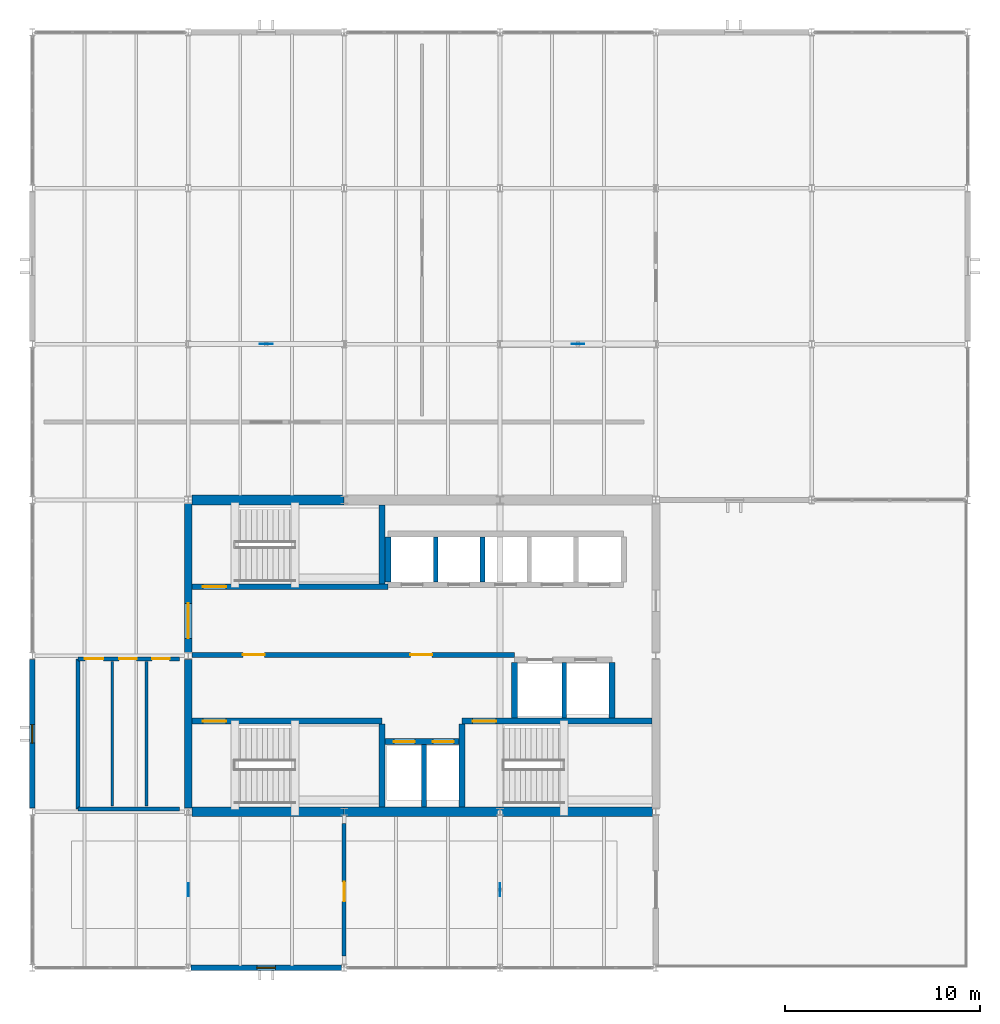
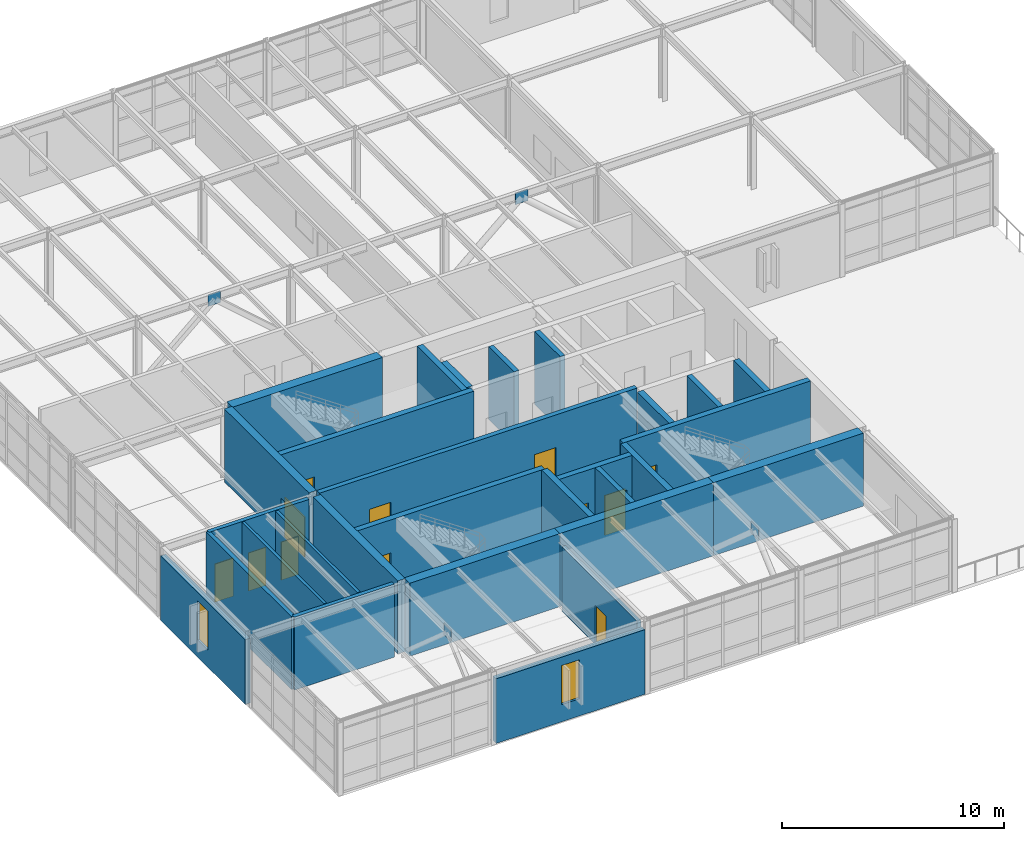
# One storey, part 17 of 21: 29 walls, 12 doors, 4 plates, 2 windows, 14 openings.
"""IFC4 building model written with IfcOpenShell, lengths in metres."""

import ifcopenshell
import ifcopenshell.guid

model = None  # the IFC model being written
_history = None  # IfcOwnerHistory: only IFC2X3 demands one
_inside = {}  # id of a spatial element -> (the spatial element, [elements in it])
_under = {}  # id of a project, library or spatial element -> (it, [spatial elements below it])
_declared = {}  # id of a project -> (the project, [libraries it declares])
_typed = {}  # id of a type object -> (the type object, [elements of that type])
_made_of = {}  # id of a material, layer set ... -> (it, [elements and type objects made of it])


def new_model(schema):
    """Start an empty IFC model of exactly this schema.

    Asked for "IFC4X3", IfcOpenShell would pick the latest addendum, in which some entities
    have other attributes; the version numbers below select the first issue.
    IFC2X3 requires an IfcOwnerHistory on every rooted entity: one is made here for all.
    """
    global model, _history
    if schema == "IFC4X3":
        model = ifcopenshell.file(schema_version=(4, 3, 0, 0))
    else:
        model = ifcopenshell.file(schema=schema)
    _inside.clear()
    _under.clear()
    _declared.clear()
    _typed.clear()
    _made_of.clear()
    _history = None
    if model.schema == "IFC2X3":
        org = make("IfcOrganization", Name="unknown")
        user = make(
            "IfcPersonAndOrganization",
            ThePerson=make("IfcPerson", FamilyName="unknown"),
            TheOrganization=org,
        )
        app = make(
            "IfcApplication",
            ApplicationDeveloper=org,
            Version="unknown",
            ApplicationFullName="unknown",
            ApplicationIdentifier="unknown",
        )
        _history = make(
            "IfcOwnerHistory",
            OwningUser=user,
            OwningApplication=app,
            ChangeAction="ADDED",
            CreationDate=0,
        )
    return model


def make(cls, **values):
    """One entity of the class cls with the attributes given. An attribute that is None is left unset."""
    return model.create_entity(
        cls, **{name: value for name, value in values.items() if value is not None}
    )


def rooted(cls, **values):
    """An entity with a GlobalId (a new one), such as an element, a storey or a relation."""
    return make(cls, GlobalId=ifcopenshell.guid.new(), OwnerHistory=_history, **values)


def si_unit(unit_type, name, prefix=None):
    """IfcSIUnit, for example si_unit("LENGTHUNIT", "METRE", prefix="MILLI")."""
    return make("IfcSIUnit", UnitType=unit_type, Prefix=prefix, Name=name)


def assignment(units):
    """IfcUnitAssignment: the units of a project."""
    return None if units is None else make("IfcUnitAssignment", Units=units)


def point(xyz):
    """IfcCartesianPoint."""
    return None if xyz is None else make("IfcCartesianPoint", Coordinates=xyz)


def direction(xyz):
    """IfcDirection."""
    return None if xyz is None else make("IfcDirection", DirectionRatios=xyz)


def frame(location, z_axis=None, x_axis=None):
    """IfcAxis2Placement3D, a coordinate frame: its origin and axes. An axis left out is left unset."""
    return make(
        "IfcAxis2Placement3D",
        Location=point(location),
        Axis=direction(z_axis),
        RefDirection=direction(x_axis),
    )


def frame_2d(location, x_axis=None):
    """IfcAxis2Placement2D, a coordinate frame in the plane: its origin and x axis."""
    return make(
        "IfcAxis2Placement2D", Location=point(location), RefDirection=direction(x_axis)
    )


def origin():
    """The frame at (0, 0, 0) with its axes left unset."""
    return frame((0.0, 0.0, 0.0))


def origin_2d():
    """The frame at (0, 0) in the plane with its x axis left unset."""
    return frame_2d((0.0, 0.0))


def place(relative_to, where):
    """IfcLocalPlacement: puts the frame where relative to a parent placement (None: the world)."""
    return make(
        "IfcLocalPlacement", PlacementRelTo=relative_to, RelativePlacement=where
    )


def context(
    kind, dimensions, precision=None, world=None, true_north=None, identifier=None
):
    """IfcGeometricRepresentationContext, for example the 3D "Model" context."""
    return make(
        "IfcGeometricRepresentationContext",
        ContextIdentifier=identifier,
        ContextType=kind,
        CoordinateSpaceDimension=dimensions,
        Precision=precision,
        WorldCoordinateSystem=world,
        TrueNorth=true_north,
    )


def subcontext(parent, identifier, kind, view, scale=None):
    """IfcGeometricRepresentationSubContext, for example "Body" below "Model"."""
    return make(
        "IfcGeometricRepresentationSubContext",
        ContextIdentifier=identifier,
        ContextType=kind,
        ParentContext=parent,
        TargetScale=scale,
        TargetView=view,
    )


def project(units=None, contexts=None):
    """IfcProject with its units and contexts."""
    return rooted(
        "IfcProject",
        Name="project",
        RepresentationContexts=contexts,
        UnitsInContext=assignment(units),
    )


def spatial(cls, under=None, at=None, **own):
    """A site, building, storey or space (cls), placed at a placement, below another one or the project."""
    s = rooted(cls, ObjectPlacement=at, **own)
    if under is not None:
        _under.setdefault(under.id(), (under, []))[1].append(s)
    return s


def profile(cls, at=None, kind="AREA", **sizes):
    """A parametric profile (cls). Its sizes go by their IFC names, for example OverallWidth=200.0."""
    return make(cls, ProfileType=kind, Position=at, **sizes)


def rectangle(**sizes):
    """IfcRectangleProfileDef."""
    return profile("IfcRectangleProfileDef", **sizes)


def extrude(swept, where, along, depth):
    """IfcExtrudedAreaSolid: the profile swept, set in the frame where, extruded along a direction by depth."""
    return make(
        "IfcExtrudedAreaSolid",
        SweptArea=swept,
        Position=where,
        ExtrudedDirection=direction(along),
        Depth=depth,
    )


def shape(context_of_items, identifier, shape_type, items):
    """IfcShapeRepresentation: the items that make up one representation, for example the "Body"."""
    return make(
        "IfcShapeRepresentation",
        ContextOfItems=context_of_items,
        RepresentationIdentifier=identifier,
        RepresentationType=shape_type,
        Items=items,
    )


def material(Name=None, Category=None):
    """IfcMaterial."""
    return make("IfcMaterial", Name=Name, Category=Category)


def layer(
    of_material, thickness, ventilated=None, Name=None, Category=None, Priority=None
):
    """IfcMaterialLayer: one layer of a wall or slab, of a material (None: an air gap)."""
    return make(
        "IfcMaterialLayer",
        Material=of_material,
        LayerThickness=thickness,
        IsVentilated=ventilated,
        Name=Name,
        Category=Category,
        Priority=Priority,
    )


def layer_set(layers, Name=None):
    """IfcMaterialLayerSet."""
    return make("IfcMaterialLayerSet", MaterialLayers=layers, LayerSetName=Name)


def made_of(thing, what):
    """Note that an element or type object is made of a material, layer set ...; save() writes the relation."""
    if what is not None:
        _made_of.setdefault(what.id(), (what, []))[1].append(thing)
    return thing


def type_object(cls, material=None, **own):
    """A type object (cls), such as IfcWallType, which elements share."""
    return made_of(rooted(cls, **own), material)


def element(
    cls,
    number,
    at=None,
    inside=None,
    cuts=None,
    type_object=None,
    material=None,
    context=None,
    identifier="Body",
    shape_type=None,
    held_by="IfcProductDefinitionShape",
    body=None,
    shapes=None,
    **own,
):
    """One element of the class cls, such as IfcWall. Its Tag is "e" and its number.

    at: its placement. inside: the storey or other place that contains it. cuts: it is an
    opening in that element (IfcRelVoidsElement). A single representation is given by context,
    identifier, shape_type and body (its items); several are given by shapes. held_by: the class
    of the entity that holds the representations. save() writes the other relations.
    """
    e = rooted(cls, Tag="e%d" % number, ObjectPlacement=at, **own)
    if body is not None:
        shapes = [shape(context, identifier, shape_type, body)]
    if shapes is not None:
        e.Representation = make(held_by, Representations=shapes)
    if inside is not None:
        _inside.setdefault(inside.id(), (inside, []))[1].append(e)
    if cuts is not None:
        rooted(
            "IfcRelVoidsElement", RelatingBuildingElement=cuts, RelatedOpeningElement=e
        )
    if type_object is not None:
        _typed.setdefault(type_object.id(), (type_object, []))[1].append(e)
    return made_of(e, material)


def fill(opening, filler):
    """IfcRelFillsElement: the door or window that sits in an opening."""
    return rooted(
        "IfcRelFillsElement",
        RelatingOpeningElement=opening,
        RelatedBuildingElement=filler,
    )


def aggregate(whole, parts):
    """IfcRelAggregates: a whole, such as a stair, and the parts it consists of."""
    return rooted("IfcRelAggregates", RelatingObject=whole, RelatedObjects=parts)


def save(model, path):
    """Write the relations noted so far, then the file.

    IfcRelAggregates (storeys below a building ...), IfcRelContainedInSpatialStructure (elements
    in a storey), IfcRelDefinesByType, IfcRelAssociatesMaterial and IfcRelDeclares: one each for
    every whole, place, type object, material and project.
    """
    for whole, parts in _under.values():
        aggregate(whole, parts)
    for where, things in _inside.values():
        rooted(
            "IfcRelContainedInSpatialStructure",
            RelatedElements=things,
            RelatingStructure=where,
        )
    for kind, things in _typed.values():
        rooted("IfcRelDefinesByType", RelatedObjects=things, RelatingType=kind)
    for what, things in _made_of.values():
        rooted("IfcRelAssociatesMaterial", RelatedObjects=things, RelatingMaterial=what)
    for by, libraries in _declared.values():
        rooted("IfcRelDeclares", RelatingContext=by, RelatedDefinitions=libraries)
    model.write(path)


model = new_model("IFC4")

# Units and contexts
model_context = context("Model", 3, precision=1e-05, world=origin(), true_north=direction((0.0, 1.0)))
body_context = subcontext(model_context, "Body", "Model", "MODEL_VIEW")
ifc_project = project(units=[si_unit("LENGTHUNIT", "METRE"), si_unit("AREAUNIT", "SQUARE_METRE"), si_unit("VOLUMEUNIT", "CUBIC_METRE"), si_unit("PLANEANGLEUNIT", "RADIAN"), si_unit("MASSUNIT", "GRAM", prefix="KILO")], contexts=[model_context])

# Site, building, storey
site_placement = place(None, origin())
site = spatial("IfcSite", under=ifc_project, at=site_placement, CompositionType="ELEMENT")
building_placement = place(site_placement, origin())
building = spatial("IfcBuilding", under=site, at=building_placement, Name="Varnela Railside Interchange", CompositionType="ELEMENT")
storey_placement = place(building_placement, frame((0.0, 0.0, 23.800048828125)))
storey = spatial("IfcBuildingStorey", under=building, at=storey_placement, Name="L05", CompositionType="ELEMENT", Elevation=23.800048828125)

# Plates
ifc_material_1 = material(Name="Steel AR 350 (350 MPa)", Category="steel")
ifc_layer_1 = layer(ifc_material_1, 0.64990234375)
ifc_layer_set_1 = layer_set([ifc_layer_1], Name="Steel AR 350 (350 MPa)")
plate_type = type_object("IfcPlateType", Name="Brace Gusset Plate GP-01", PredefinedType="SHEET", material=ifc_layer_set_1)
for number, where, z_axis, x_axis, name in (
    (1, (16.0, 78.0, 3.344970703125), (0.0, 0.0, 1.0), (1.0, 0.0, 0.0), "Brace Gusset Plate GP-01 (L05) (PL-037)"),
    (2, (32.0, 78.0, 3.344970703125), (0.0, 0.0, 1.0), (1.0, 0.0, 0.0), "Brace Gusset Plate GP-01 (L05) (PL-038)"),
    (3, (12.0, 50.0, 3.344970703125), (0.0, 0.0, 1.0), (0.0, 1.0, 0.0), "Brace Gusset Plate GP-01 (L05) (PL-039)"),
    (4, (28.0, 50.0, 3.344970703125), (0.0, 0.0, 1.0), (0.0, 1.0, 0.0), "Brace Gusset Plate GP-01 (L05) (PL-040)"),
):
    element("IfcPlate", number, at=place(storey_placement, frame(where, z_axis=z_axis, x_axis=x_axis)), inside=storey, type_object=plate_type, Name=name, PredefinedType="SHEET", context=body_context, shape_type="SweptSolid", body=[
        extrude(rectangle(XDim=0.64990234375, YDim=0.030029296875, at=origin_2d()), origin(), (0.0, 0.0, 1.0), 0.64990234375),
    ])

# Walls
ifc_material_2 = material(Name="Gypsum acoustic board")
ifc_layer_2 = layer(ifc_material_2, 0.14990234375)
ifc_layer_set_2 = layer_set([ifc_layer_2], Name="Gypsum acoustic board")
wall_type_1 = type_object("IfcWallType", Name="Acoustic Drywall Partition IW-01", PredefinedType="PARTITIONING", material=ifc_layer_set_2)
for number, where, z_axis, x_axis, name in (
    (5, (8.10009765625, 54.300048828125, 0.0), (0.0, 0.0, 1.0), (0.0, 1.0, 0.0), "Acoustic Drywall Partition IW-01 (L05) (WL-0972)"),
    (6, (9.85009765625, 54.300048828125, 0.0), (0.0, 0.0, 1.0), (0.0, 1.0, 0.0), "Acoustic Drywall Partition IW-01 (L05) (WL-0973)"),
):
    element("IfcWall", number, at=place(storey_placement, frame(where, z_axis=z_axis, x_axis=x_axis)), inside=storey, type_object=wall_type_1, Name=name, PredefinedType="PARTITIONING", context=body_context, shape_type="SweptSolid", body=[
        extrude(rectangle(XDim=7.39990234375, YDim=0.14990234375, at=frame_2d((3.699951171875, 0.0))), origin(), (0.0, 0.0, 1.0), 4.02001953125),
    ])
ifc_material_3 = material(Name="Concrete C50", Category="concrete")
ifc_layer_3 = layer(ifc_material_3, 0.39990234375)
ifc_layer_set_3 = layer_set([ifc_layer_3], Name="Concrete C50")
wall_type_2 = type_object("IfcWallType", Name="Core Coupling Shear Wall SW-02", PredefinedType="SHEAR", material=ifc_layer_set_3)
wall_1_placement = place(storey_placement, frame((12.0, 54.179931640625, 0.0), z_axis=(0.0, 0.0, 1.0), x_axis=(0.0, 1.0, 0.0)))
element("IfcWall", 7, at=wall_1_placement, inside=storey, type_object=wall_type_2, Name="Core Coupling Shear Wall SW-02 (L05) (WL-0958)", PredefinedType="SHEAR", context=body_context, shape_type="SweptSolid", body=[
    extrude(rectangle(XDim=7.64013671875, YDim=0.39990234375, at=frame_2d((3.820068359375, 0.0))), origin(), (0.0, 0.0, 1.0), 4.02001953125),
])

# Wall, opening, door
wall_2_placement = place(storey_placement, frame((12.0, 62.179931640625, 0.0), z_axis=(0.0, 0.0, 1.0), x_axis=(0.0, 1.0, 0.0)))
wall_2 = element("IfcWall", 8, at=wall_2_placement, inside=storey, type_object=wall_type_2, Name="Core Coupling Shear Wall SW-02 (L05) (WL-0959)", PredefinedType="SHEAR", context=body_context, shape_type="SweptSolid", body=[
    extrude(rectangle(XDim=7.64013671875, YDim=0.39990234375, at=frame_2d((3.820068359375, 0.0))), origin(), (0.0, 0.0, 1.0), 4.02001953125),
])
opening_1_placement = place(wall_2_placement, frame((0.719970703125, 0.0, 0.0)))
opening_1 = element("IfcOpeningElement", 9, at=opening_1_placement, cuts=wall_2, Name="Opening D-284", PredefinedType="OPENING", context=body_context, shape_type="SweptSolid", body=[
    extrude(rectangle(XDim=1.800048828125, YDim=2.199951171875, at=frame_2d((0.89990234375, 1.10009765625))), frame((0.0, 0.2099609375, 0.0), z_axis=(0.0, -1.0, 0.0), x_axis=(1.0, 0.0, 0.0)), (0.0, 0.0, 1.0), 0.419921875),
])
door_type_1 = type_object("IfcDoorType", Name="DR-DBL-1800-FD60", OperationType="DOUBLE_DOOR_SINGLE_SWING", PredefinedType="DOOR", material=ifc_material_1)
door_1_placement = place(opening_1_placement, frame((1.800048828125, 0.0, 0.0), z_axis=(0.0, 0.0, 1.0), x_axis=(-1.0, 0.0, 0.0)))
door_1 = element("IfcDoor", 10, at=door_1_placement, inside=storey, type_object=door_type_1, Name="Door D-284", OperationType="DOUBLE_DOOR_SINGLE_SWING", OverallHeight=2.199951171875, OverallWidth=1.800048828125, PredefinedType="DOOR", context=body_context, shape_type="SweptSolid", body=[
    extrude(rectangle(XDim=1.800048828125, YDim=2.199951171875, at=frame_2d((0.89990234375, 1.10009765625))), frame((0.0, 0.02490234375, 0.0), z_axis=(0.0, -1.0, 0.0), x_axis=(1.0, 0.0, 0.0)), (0.0, 0.0, 1.0), 0.050048828125),
])
fill(opening_1, door_1)

# Walls
ifc_layer_4 = layer(ifc_material_3, 0.5)
ifc_layer_set_4 = layer_set([ifc_layer_4], Name="Concrete C50")
wall_type_3 = type_object("IfcWallType", Name="Core Primary Shear Wall SW-01", PredefinedType="SHEAR", material=ifc_layer_set_4)
wall_3_placement = place(storey_placement, frame((12.18505859375, 54.0, 0.0), z_axis=(0.0, 0.0, 1.0), x_axis=(1.0, 0.0, 0.0)))
element("IfcWall", 11, at=wall_3_placement, inside=storey, type_object=wall_type_3, Name="Core Primary Shear Wall SW-01 (L05) (WL-0949)", PredefinedType="SHEAR", context=body_context, shape_type="SweptSolid", body=[
    extrude(rectangle(XDim=7.81494140625, YDim=0.5, at=frame_2d((3.907470703125, 0.0))), origin(), (0.0, 0.0, 1.0), 4.02001953125),
])
wall_4_placement = place(storey_placement, frame((20.0, 54.0, 0.0), z_axis=(0.0, 0.0, 1.0), x_axis=(1.0, 0.0, 0.0)))
element("IfcWall", 12, at=wall_4_placement, inside=storey, type_object=wall_type_3, Name="Core Primary Shear Wall SW-01 (L05) (WL-0950)", PredefinedType="SHEAR", context=body_context, shape_type="SweptSolid", body=[
    extrude(rectangle(XDim=8.0, YDim=0.5, at=frame_2d((4.0, 0.0))), origin(), (0.0, 0.0, 1.0), 4.02001953125),
])
for number, where, z_axis, x_axis, name in (
    (13, (28.0, 54.0, 0.0), (0.0, 0.0, 1.0), (1.0, 0.0, 0.0), "Core Primary Shear Wall SW-01 (L05) (WL-0951)"),
    (14, (12.18505859375, 70.0, 0.0), (0.0, 0.0, 1.0), (1.0, 0.0, 0.0), "Core Primary Shear Wall SW-01 (L05) (WL-0946)"),
):
    element("IfcWall", number, at=place(storey_placement, frame(where, z_axis=z_axis, x_axis=x_axis)), inside=storey, type_object=wall_type_3, Name=name, PredefinedType="SHEAR", context=body_context, shape_type="SweptSolid", body=[
        extrude(rectangle(XDim=7.81494140625, YDim=0.5, at=frame_2d((3.907470703125, 0.0))), origin(), (0.0, 0.0, 1.0), 4.02001953125),
    ])

# Wall, opening, door
ifc_material_4 = material(Name="Concrete C40", Category="concrete")
ifc_layer_5 = layer(ifc_material_4, 0.199951171875)
ifc_layer_set_5 = layer_set([ifc_layer_5], Name="Concrete C40")
wall_type_4 = type_object("IfcWallType", Name="Fire Compartment Wall EI60 FW-01", PredefinedType="SOLIDWALL", material=ifc_layer_set_5)
wall_5_placement = place(storey_placement, frame((20.0, 46.60009765625, 0.0), z_axis=(0.0, 0.0, 1.0), x_axis=(0.0, 1.0, 0.0)))
wall_5 = element("IfcWall", 15, at=wall_5_placement, inside=storey, type_object=wall_type_4, Name="Fire Compartment Wall EI60 FW-01 (L05) (WL-0970)", PredefinedType="SOLIDWALL", context=body_context, shape_type="SweptSolid", body=[
    extrude(rectangle(XDim=6.7998046875, YDim=0.199951171875, at=frame_2d((3.39990234375, 0.0))), origin(), (0.0, 0.0, 1.0), 3.56005859375),
])
opening_2_placement = place(wall_5_placement, frame((2.800048828125, 0.0, 0.0)))
opening_2 = element("IfcOpeningElement", 16, at=opening_2_placement, cuts=wall_5, Name="Opening D-291", PredefinedType="OPENING", context=body_context, shape_type="SweptSolid", body=[
    extrude(rectangle(XDim=1.0, YDim=2.14990234375, at=frame_2d((0.5, 1.074951171875))), frame((0.0, 0.10986328125, 0.0), z_axis=(0.0, -1.0, 0.0), x_axis=(1.0, 0.0, 0.0)), (0.0, 0.0, 1.0), 0.219970703125),
])
door_type_2 = type_object("IfcDoorType", Name="DR-SGL-1000-FD60", OperationType="NOTDEFINED", PredefinedType="DOOR", material=ifc_material_1)
door_2_placement = place(opening_2_placement, origin())
door_2 = element("IfcDoor", 17, at=door_2_placement, inside=storey, type_object=door_type_2, Name="Door D-291", OperationType="SINGLE_SWING_RIGHT", OverallHeight=2.14990234375, OverallWidth=1.0, PredefinedType="DOOR", context=body_context, shape_type="SweptSolid", body=[
    extrude(rectangle(XDim=1.0, YDim=2.14990234375, at=frame_2d((0.5, 1.074951171875))), frame((0.0, 0.02490234375, 0.0), z_axis=(0.0, -1.0, 0.0), x_axis=(1.0, 0.0, 0.0)), (0.0, 0.0, 1.0), 0.050048828125),
])
fill(opening_2, door_2)

# Wall, opening, window
ifc_material_5 = material(Name="Concrete C40 precast", Category="concrete")
ifc_layer_6 = layer(ifc_material_5, 0.280029296875)
ifc_layer_set_6 = layer_set([ifc_layer_6], Name="Concrete C40 precast")
wall_type_5 = type_object("IfcWallType", Name="Ribbed Precast Concrete Facade Wall EW-02", PredefinedType="STANDARD", material=ifc_layer_set_6)
wall_6_placement = place(storey_placement, frame((19.87158203125, 46.0, 0.0), z_axis=(0.0, 0.0, 1.0), x_axis=(-1.0, 0.0, 0.0)))
wall_6 = element("IfcWall", 18, at=wall_6_placement, inside=storey, type_object=wall_type_5, Name="Ribbed Precast Concrete Facade Wall EW-02 (L05) (WL-0965)", PredefinedType="STANDARD", context=body_context, shape_type="SweptSolid", body=[
    extrude(rectangle(XDim=7.7431640625, YDim=0.280029296875, at=frame_2d((3.87158203125, 0.0))), origin(), (0.0, 0.0, 1.0), 3.56005859375),
])
opening_3_placement = place(wall_6_placement, frame((3.396484375, 0.0, 0.949951171875)))
opening_3 = element("IfcOpeningElement", 19, at=opening_3_placement, cuts=wall_6, Name="Opening W-135", PredefinedType="OPENING", context=body_context, shape_type="SweptSolid", body=[
    extrude(rectangle(XDim=0.949951171875, YDim=2.14990234375, at=frame_2d((0.47509765625, 1.074951171875))), frame((0.0, 0.14990234375, 0.0), z_axis=(0.0, -1.0, 0.0), x_axis=(1.0, 0.0, 0.0)), (0.0, 0.0, 1.0), 0.300048828125),
])
ifc_material_6 = material(Name="Glass laminated double", Category="glass")
window_type = type_object("IfcWindowType", Name="Signalling Narrow Slot WN-13", PartitioningType="SINGLE_PANEL", PredefinedType="WINDOW", material=ifc_material_6)
window_1_placement = place(opening_3_placement, origin())
window_1 = element("IfcWindow", 20, at=window_1_placement, inside=storey, type_object=window_type, Name="Window W-135", OverallHeight=2.14990234375, OverallWidth=0.949951171875, PartitioningType="SINGLE_PANEL", PredefinedType="WINDOW", context=body_context, shape_type="SweptSolid", body=[
    extrude(rectangle(XDim=0.949951171875, YDim=2.14990234375, at=frame_2d((0.47509765625, 1.074951171875))), frame((0.0, 0.030029296875, 0.0), z_axis=(0.0, -1.0, 0.0), x_axis=(1.0, 0.0, 0.0)), (0.0, 0.0, 1.0), 0.06005859375),
])
fill(opening_3, window_1)

wall_7_placement = place(storey_placement, frame((4.0, 54.181396484375, 0.0), z_axis=(0.0, 0.0, 1.0), x_axis=(0.0, 1.0, 0.0)))
wall_7 = element("IfcWall", 21, at=wall_7_placement, inside=storey, type_object=wall_type_5, Name="Ribbed Precast Concrete Facade Wall EW-02 (L05) (WL-0966)", PredefinedType="STANDARD", context=body_context, shape_type="SweptSolid", body=[
    extrude(rectangle(XDim=7.63720703125, YDim=0.280029296875, at=frame_2d((3.818603515625, 0.0))), origin(), (0.0, 0.0, 1.0), 3.56005859375),
])
opening_4_placement = place(wall_7_placement, frame((3.343505859375, 0.0, 0.949951171875)))
opening_4 = element("IfcOpeningElement", 22, at=opening_4_placement, cuts=wall_7, Name="Opening W-136", PredefinedType="OPENING", context=body_context, shape_type="SweptSolid", body=[
    extrude(rectangle(XDim=0.949951171875, YDim=2.14990234375, at=frame_2d((0.47509765625, 1.074951171875))), frame((0.0, 0.14990234375, 0.0), z_axis=(0.0, -1.0, 0.0), x_axis=(1.0, 0.0, 0.0)), (0.0, 0.0, 1.0), 0.300048828125),
])
window_2_placement = place(opening_4_placement, origin())
window_2 = element("IfcWindow", 23, at=window_2_placement, inside=storey, type_object=window_type, Name="Window W-136", OverallHeight=2.14990234375, OverallWidth=0.949951171875, PartitioningType="SINGLE_PANEL", PredefinedType="WINDOW", context=body_context, shape_type="SweptSolid", body=[
    extrude(rectangle(XDim=0.949951171875, YDim=2.14990234375, at=frame_2d((0.47509765625, 1.074951171875))), frame((0.0, 0.030029296875, 0.0), z_axis=(0.0, -1.0, 0.0), x_axis=(1.0, 0.0, 0.0)), (0.0, 0.0, 1.0), 0.06005859375),
])
fill(opening_4, window_2)

# Wall, openings, doors
ifc_material_7 = material(Name="Masonry concrete block", Category="masonry")
ifc_layer_7 = layer(ifc_material_7, 0.2099609375)
ifc_layer_set_7 = layer_set([ifc_layer_7], Name="Masonry concrete block")
wall_type_6 = type_object("IfcWallType", Name="Sanitary Plumbing Chase Wall IW-04", PredefinedType="PLUMBINGWALL", material=ifc_layer_set_7)
wall_8_placement = place(storey_placement, frame((6.35009765625, 61.85009765625, 0.0), z_axis=(0.0, 0.0, 1.0), x_axis=(1.0, 0.0, 0.0)))
wall_8 = element("IfcWall", 24, at=wall_8_placement, inside=storey, type_object=wall_type_6, Name="Sanitary Plumbing Chase Wall IW-04 (L05) (WL-0974)", PredefinedType="PLUMBINGWALL", context=body_context, shape_type="SweptSolid", body=[
    extrude(rectangle(XDim=5.199951171875, YDim=0.2099609375, at=frame_2d((2.60009765625, 0.0))), origin(), (0.0, 0.0, 1.0), 4.02001953125),
])
opening_5_placement = place(wall_8_placement, frame((0.35009765625, 0.0, 0.0)))
opening_5 = element("IfcOpeningElement", 25, at=opening_5_placement, cuts=wall_8, Name="Opening D-285", PredefinedType="OPENING", context=body_context, shape_type="SweptSolid", body=[
    extrude(rectangle(XDim=0.949951171875, YDim=2.10009765625, at=frame_2d((0.47509765625, 1.050048828125))), frame((0.0, 0.114990234375, 0.0), z_axis=(0.0, -1.0, 0.0), x_axis=(1.0, 0.0, 0.0)), (0.0, 0.0, 1.0), 0.22998046875),
])
opening_6_placement = place(wall_8_placement, frame((2.10009765625, 0.0, 0.0)))
opening_6 = element("IfcOpeningElement", 26, at=opening_6_placement, cuts=wall_8, Name="Opening D-286", PredefinedType="OPENING", context=body_context, shape_type="SweptSolid", body=[
    extrude(rectangle(XDim=0.89990234375, YDim=2.10009765625, at=frame_2d((0.449951171875, 1.050048828125))), frame((0.0, 0.114990234375, 0.0), z_axis=(0.0, -1.0, 0.0), x_axis=(1.0, 0.0, 0.0)), (0.0, 0.0, 1.0), 0.22998046875),
])
opening_7_placement = place(wall_8_placement, frame((3.800048828125, 0.0, 0.0)))
opening_7 = element("IfcOpeningElement", 27, at=opening_7_placement, cuts=wall_8, Name="Opening D-287", PredefinedType="OPENING", context=body_context, shape_type="SweptSolid", body=[
    extrude(rectangle(XDim=0.89990234375, YDim=2.10009765625, at=frame_2d((0.449951171875, 1.050048828125))), frame((0.0, 0.114990234375, 0.0), z_axis=(0.0, -1.0, 0.0), x_axis=(1.0, 0.0, 0.0)), (0.0, 0.0, 1.0), 0.22998046875),
])
ifc_material_8 = material(Name="Timber solid core", Category="wood")
door_type_3 = type_object("IfcDoorType", Name="DR-SGL-900", OperationType="NOTDEFINED", PredefinedType="DOOR", material=ifc_material_8)
door_3_placement = place(opening_6_placement, origin())
door_3 = element("IfcDoor", 28, at=door_3_placement, inside=storey, type_object=door_type_3, Name="Door D-286", OperationType="SINGLE_SWING_LEFT", OverallHeight=2.10009765625, OverallWidth=0.89990234375, PredefinedType="DOOR", context=body_context, shape_type="SweptSolid", body=[
    extrude(rectangle(XDim=0.89990234375, YDim=2.10009765625, at=frame_2d((0.449951171875, 1.050048828125))), frame((0.0, 0.02490234375, 0.0), z_axis=(0.0, -1.0, 0.0), x_axis=(1.0, 0.0, 0.0)), (0.0, 0.0, 1.0), 0.050048828125),
])
fill(opening_6, door_3)
door_4_placement = place(opening_7_placement, origin())
door_4 = element("IfcDoor", 29, at=door_4_placement, inside=storey, type_object=door_type_3, Name="Door D-287", OperationType="SINGLE_SWING_RIGHT", OverallHeight=2.10009765625, OverallWidth=0.89990234375, PredefinedType="DOOR", context=body_context, shape_type="SweptSolid", body=[
    extrude(rectangle(XDim=0.89990234375, YDim=2.10009765625, at=frame_2d((0.449951171875, 1.050048828125))), frame((0.0, 0.02490234375, 0.0), z_axis=(0.0, -1.0, 0.0), x_axis=(1.0, 0.0, 0.0)), (0.0, 0.0, 1.0), 0.050048828125),
])
fill(opening_7, door_4)
door_type_4 = type_object("IfcDoorType", Name="DR-SGL-950-ACC", OperationType="NOTDEFINED", PredefinedType="DOOR", material=ifc_material_8)
door_5_placement = place(opening_5_placement, origin())
door_5 = element("IfcDoor", 30, at=door_5_placement, inside=storey, type_object=door_type_4, Name="Door D-285", OperationType="SINGLE_SWING_RIGHT", OverallHeight=2.10009765625, OverallWidth=0.949951171875, PredefinedType="DOOR", context=body_context, shape_type="SweptSolid", body=[
    extrude(rectangle(XDim=0.949951171875, YDim=2.10009765625, at=frame_2d((0.47509765625, 1.050048828125))), frame((0.0, 0.02490234375, 0.0), z_axis=(0.0, -1.0, 0.0), x_axis=(1.0, 0.0, 0.0)), (0.0, 0.0, 1.0), 0.050048828125),
])
fill(opening_5, door_5)

# Walls
wall_9_placement = place(storey_placement, frame((6.35009765625, 54.14990234375, 0.0), z_axis=(0.0, 0.0, 1.0), x_axis=(1.0, 0.0, 0.0)))
element("IfcWall", 31, at=wall_9_placement, inside=storey, type_object=wall_type_6, Name="Sanitary Plumbing Chase Wall IW-04 (L05) (WL-0975)", PredefinedType="PLUMBINGWALL", context=body_context, shape_type="SweptSolid", body=[
    extrude(rectangle(XDim=5.199951171875, YDim=0.2099609375, at=frame_2d((2.60009765625, 0.0))), origin(), (0.0, 0.0, 1.0), 4.02001953125),
])
wall_10_placement = place(storey_placement, frame((6.35009765625, 54.14990234375, 0.0), z_axis=(0.0, 0.0, 1.0), x_axis=(0.0, 1.0, 0.0)))
element("IfcWall", 32, at=wall_10_placement, inside=storey, type_object=wall_type_6, Name="Sanitary Plumbing Chase Wall IW-04 (L05) (WL-0976)", PredefinedType="PLUMBINGWALL", context=body_context, shape_type="SweptSolid", body=[
    extrude(rectangle(XDim=7.7001953125, YDim=0.2099609375, at=frame_2d((3.85009765625, 0.0))), origin(), (0.0, 0.0, 1.0), 4.02001953125),
])

# Wall, opening, door
ifc_layer_8 = layer(ifc_material_3, 0.300048828125)
ifc_layer_set_8 = layer_set([ifc_layer_8], Name="Concrete C50")
wall_type_7 = type_object("IfcWallType", Name="Stair & Lift Shaft Wall SW-03", PredefinedType="SHEAR", material=ifc_layer_set_8)
wall_11_placement = place(storey_placement, frame((12.199951171875, 58.64990234375, 0.0), z_axis=(0.0, 0.0, 1.0), x_axis=(1.0, 0.0, 0.0)))
wall_11 = element("IfcWall", 33, at=wall_11_placement, inside=storey, type_object=wall_type_7, Name="Stair & Lift Shaft Wall SW-03 (L05) (WL-0953)", PredefinedType="SHEAR", context=body_context, shape_type="SweptSolid", body=[
    extrude(rectangle(XDim=9.75, YDim=0.300048828125, at=frame_2d((4.875, 0.0))), origin(), (0.0, 0.0, 1.0), 4.02001953125),
])
opening_8_placement = place(wall_11_placement, frame((0.550048828125, 0.0, 0.0)))
opening_8 = element("IfcOpeningElement", 34, at=opening_8_placement, cuts=wall_11, Name="Opening D-279", PredefinedType="OPENING", context=body_context, shape_type="SweptSolid", body=[
    extrude(rectangle(XDim=1.199951171875, YDim=2.199951171875, at=frame_2d((0.60009765625, 1.10009765625))), frame((0.0, 0.159912109375, 0.0), z_axis=(0.0, -1.0, 0.0), x_axis=(1.0, 0.0, 0.0)), (0.0, 0.0, 1.0), 0.320068359375),
])
door_type_5 = type_object("IfcDoorType", Name="DR-SGL-1200-FD90", OperationType="NOTDEFINED", PredefinedType="DOOR", material=ifc_material_1)
door_6_placement = place(opening_8_placement, frame((1.199951171875, 0.0, 0.0), z_axis=(0.0, 0.0, 1.0), x_axis=(-1.0, 0.0, 0.0)))
door_6 = element("IfcDoor", 35, at=door_6_placement, inside=storey, type_object=door_type_5, Name="Door D-279", OperationType="SINGLE_SWING_LEFT", OverallHeight=2.199951171875, OverallWidth=1.199951171875, PredefinedType="DOOR", context=body_context, shape_type="SweptSolid", body=[
    extrude(rectangle(XDim=1.199951171875, YDim=2.199951171875, at=frame_2d((0.60009765625, 1.10009765625))), frame((0.0, 0.02490234375, 0.0), z_axis=(0.0, -1.0, 0.0), x_axis=(1.0, 0.0, 0.0)), (0.0, 0.0, 1.0), 0.050048828125),
])
fill(opening_8, door_6)

# Wall
wall_12_placement = place(storey_placement, frame((21.949951171875, 54.25, 0.0), z_axis=(0.0, 0.0, 1.0), x_axis=(0.0, 1.0, 0.0)))
element("IfcWall", 36, at=wall_12_placement, inside=storey, type_object=wall_type_7, Name="Stair & Lift Shaft Wall SW-03 (L05) (WL-0952)", PredefinedType="SHEAR", context=body_context, shape_type="SweptSolid", body=[
    extrude(rectangle(XDim=4.25, YDim=0.300048828125, at=frame_2d((2.125, 0.0))), origin(), (0.0, 0.0, 1.0), 4.02001953125),
])

# Wall, opening, door
wall_13_placement = place(storey_placement, frame((26.050048828125, 58.64990234375, 0.0), z_axis=(0.0, 0.0, 1.0), x_axis=(1.0, 0.0, 0.0)))
wall_13 = element("IfcWall", 37, at=wall_13_placement, inside=storey, type_object=wall_type_7, Name="Stair & Lift Shaft Wall SW-03 (L05) (WL-0954)", PredefinedType="SHEAR", context=body_context, shape_type="SweptSolid", body=[
    extrude(rectangle(XDim=9.75, YDim=0.300048828125, at=frame_2d((4.875, 0.0))), origin(), (0.0, 0.0, 1.0), 4.02001953125),
])
opening_9_placement = place(wall_13_placement, frame((0.550048828125, 0.0, 0.0)))
opening_9 = element("IfcOpeningElement", 38, at=opening_9_placement, cuts=wall_13, Name="Opening D-280", PredefinedType="OPENING", context=body_context, shape_type="SweptSolid", body=[
    extrude(rectangle(XDim=1.199951171875, YDim=2.199951171875, at=frame_2d((0.60009765625, 1.10009765625))), frame((0.0, 0.159912109375, 0.0), z_axis=(0.0, -1.0, 0.0), x_axis=(1.0, 0.0, 0.0)), (0.0, 0.0, 1.0), 0.320068359375),
])
door_7_placement = place(opening_9_placement, frame((1.199951171875, 0.0, 0.0), z_axis=(0.0, 0.0, 1.0), x_axis=(-1.0, 0.0, 0.0)))
door_7 = element("IfcDoor", 39, at=door_7_placement, inside=storey, type_object=door_type_5, Name="Door D-280", OperationType="SINGLE_SWING_RIGHT", OverallHeight=2.199951171875, OverallWidth=1.199951171875, PredefinedType="DOOR", context=body_context, shape_type="SweptSolid", body=[
    extrude(rectangle(XDim=1.199951171875, YDim=2.199951171875, at=frame_2d((0.60009765625, 1.10009765625))), frame((0.0, 0.02490234375, 0.0), z_axis=(0.0, -1.0, 0.0), x_axis=(1.0, 0.0, 0.0)), (0.0, 0.0, 1.0), 0.050048828125),
])
fill(opening_9, door_7)

# Wall
wall_14_placement = place(storey_placement, frame((26.050048828125, 54.25, 0.0), z_axis=(0.0, 0.0, 1.0), x_axis=(0.0, 1.0, 0.0)))
element("IfcWall", 40, at=wall_14_placement, inside=storey, type_object=wall_type_7, Name="Stair & Lift Shaft Wall SW-03 (L05) (WL-0955)", PredefinedType="SHEAR", context=body_context, shape_type="SweptSolid", body=[
    extrude(rectangle(XDim=4.25, YDim=0.300048828125, at=frame_2d((2.125, 0.0))), origin(), (0.0, 0.0, 1.0), 4.02001953125),
])

# Wall, openings, doors
wall_15_placement = place(storey_placement, frame((22.10009765625, 57.60009765625, 0.0), z_axis=(0.0, 0.0, 1.0), x_axis=(1.0, 0.0, 0.0)))
wall_15 = element("IfcWall", 41, at=wall_15_placement, inside=storey, type_object=wall_type_7, Name="Stair & Lift Shaft Wall SW-03 (L05) (WL-0933)", PredefinedType="SHEAR", context=body_context, shape_type="SweptSolid", body=[
    extrude(rectangle(XDim=3.949951171875, YDim=0.300048828125, at=frame_2d((1.97509765625, 0.0))), origin(), (0.0, 0.0, 1.0), 4.02001953125),
])
opening_10_placement = place(wall_15_placement, frame((0.449951171875, 0.0, 0.0)))
opening_10 = element("IfcOpeningElement", 42, at=opening_10_placement, cuts=wall_15, Name="Opening LD-075", PredefinedType="OPENING", context=body_context, shape_type="SweptSolid", body=[
    extrude(rectangle(XDim=1.080078125, YDim=2.199951171875, at=frame_2d((0.5400390625, 1.10009765625))), frame((0.0, 0.159912109375, 0.0), z_axis=(0.0, -1.0, 0.0), x_axis=(1.0, 0.0, 0.0)), (0.0, 0.0, 1.0), 0.320068359375),
])
opening_11_placement = place(wall_15_placement, frame((2.449951171875, 0.0, 0.0)))
opening_11 = element("IfcOpeningElement", 43, at=opening_11_placement, cuts=wall_15, Name="Opening LD-076", PredefinedType="OPENING", context=body_context, shape_type="SweptSolid", body=[
    extrude(rectangle(XDim=1.080078125, YDim=2.199951171875, at=frame_2d((0.5400390625, 1.10009765625))), frame((0.0, 0.159912109375, 0.0), z_axis=(0.0, -1.0, 0.0), x_axis=(1.0, 0.0, 0.0)), (0.0, 0.0, 1.0), 0.320068359375),
])
door_type_6 = type_object("IfcDoorType", Name="DR-LIFT-1080", OperationType="SLIDING_TO_LEFT", PredefinedType="DOOR", material=ifc_material_1)
door_8_placement = place(opening_10_placement, origin())
door_8 = element("IfcDoor", 44, at=door_8_placement, inside=storey, type_object=door_type_6, Name="Door LD-075", OperationType="SLIDING_TO_LEFT", OverallHeight=2.199951171875, OverallWidth=1.080078125, PredefinedType="DOOR", context=body_context, shape_type="SweptSolid", body=[
    extrude(rectangle(XDim=1.080078125, YDim=2.199951171875, at=frame_2d((0.5400390625, 1.10009765625))), frame((0.0, 0.02490234375, 0.0), z_axis=(0.0, -1.0, 0.0), x_axis=(1.0, 0.0, 0.0)), (0.0, 0.0, 1.0), 0.050048828125),
])
fill(opening_10, door_8)
door_9_placement = place(opening_11_placement, origin())
door_9 = element("IfcDoor", 45, at=door_9_placement, inside=storey, type_object=door_type_6, Name="Door LD-076", OperationType="SLIDING_TO_LEFT", OverallHeight=2.199951171875, OverallWidth=1.080078125, PredefinedType="DOOR", context=body_context, shape_type="SweptSolid", body=[
    extrude(rectangle(XDim=1.080078125, YDim=2.199951171875, at=frame_2d((0.5400390625, 1.10009765625))), frame((0.0, 0.02490234375, 0.0), z_axis=(0.0, -1.0, 0.0), x_axis=(1.0, 0.0, 0.0)), (0.0, 0.0, 1.0), 0.050048828125),
])
fill(opening_11, door_9)

# Walls
wall_16_placement = place(storey_placement, frame((24.10009765625, 54.25, 0.0), z_axis=(0.0, 0.0, 1.0), x_axis=(0.0, 1.0, 0.0)))
element("IfcWall", 46, at=wall_16_placement, inside=storey, type_object=wall_type_7, Name="Stair & Lift Shaft Wall SW-03 (L05) (WL-0932)", PredefinedType="SHEAR", context=body_context, shape_type="SweptSolid", body=[
    extrude(rectangle(XDim=3.199951171875, YDim=0.25, at=frame_2d((1.60009765625, 0.0))), origin(), (0.0, 0.0, 1.0), 4.02001953125),
])
for number, where, z_axis, x_axis, name in (
    (47, (28.75, 58.800048828125, 0.0), (0.0, 0.0, 1.0), (0.0, 1.0, 0.0), "Stair & Lift Shaft Wall SW-03 (L05) (WL-0937)"),
    (48, (33.75, 58.800048828125, 0.0), (0.0, 0.0, 1.0), (0.0, 1.0, 0.0), "Stair & Lift Shaft Wall SW-03 (L05) (WL-0935)"),
):
    element("IfcWall", number, at=place(storey_placement, frame(where, z_axis=z_axis, x_axis=x_axis)), inside=storey, type_object=wall_type_7, Name=name, PredefinedType="SHEAR", context=body_context, shape_type="SweptSolid", body=[
        extrude(rectangle(XDim=2.849853515625, YDim=0.300048828125, at=frame_2d((1.4248046875, 0.0))), origin(), (0.0, 0.0, 1.0), 4.02001953125),
    ])
wall_17_placement = place(storey_placement, frame((31.300048828125, 58.800048828125, 0.0), z_axis=(0.0, 0.0, 1.0), x_axis=(0.0, 1.0, 0.0)))
element("IfcWall", 49, at=wall_17_placement, inside=storey, type_object=wall_type_7, Name="Stair & Lift Shaft Wall SW-03 (L05) (WL-0934)", PredefinedType="SHEAR", context=body_context, shape_type="SweptSolid", body=[
    extrude(rectangle(XDim=2.849853515625, YDim=0.25, at=frame_2d((1.4248046875, 0.0))), origin(), (0.0, 0.0, 1.0), 4.02001953125),
])

# Wall, openings, doors
wall_18_placement = place(storey_placement, frame((12.199951171875, 62.050048828125, 0.0), z_axis=(0.0, 0.0, 1.0), x_axis=(1.0, 0.0, 0.0)))
wall_18 = element("IfcWall", 50, at=wall_18_placement, inside=storey, type_object=wall_type_7, Name="Stair & Lift Shaft Wall SW-03 (L05) (WL-0931)", PredefinedType="SHEAR", context=body_context, shape_type="SweptSolid", body=[
    extrude(rectangle(XDim=16.550048828125, YDim=0.25, at=frame_2d((8.27490234375, 0.0))), origin(), (0.0, 0.0, 1.0), 4.02001953125),
])
opening_12_placement = place(wall_18_placement, frame((2.60009765625, 0.0, 0.0)))
opening_12 = element("IfcOpeningElement", 51, at=opening_12_placement, cuts=wall_18, Name="Opening D-282", PredefinedType="OPENING", context=body_context, shape_type="SweptSolid", body=[
    extrude(rectangle(XDim=1.1201171875, YDim=2.219970703125, at=frame_2d((0.56005859375, 1.10986328125))), frame((0.0, 0.135009765625, 0.0), z_axis=(0.0, -1.0, 0.0), x_axis=(1.0, 0.0, 0.0)), (0.0, 0.0, 1.0), 0.27001953125),
])
opening_13_placement = place(wall_18_placement, frame((11.199951171875, 0.0, 0.0)))
opening_13 = element("IfcOpeningElement", 52, at=opening_13_placement, cuts=wall_18, Name="Opening D-283", PredefinedType="OPENING", context=body_context, shape_type="SweptSolid", body=[
    extrude(rectangle(XDim=1.1201171875, YDim=2.219970703125, at=frame_2d((0.56005859375, 1.10986328125))), frame((0.0, 0.135009765625, 0.0), z_axis=(0.0, -1.0, 0.0), x_axis=(1.0, 0.0, 0.0)), (0.0, 0.0, 1.0), 0.27001953125),
])
door_type_7 = type_object("IfcDoorType", Name="DR-SGL-1120-FD90", OperationType="NOTDEFINED", PredefinedType="DOOR", material=ifc_material_1)
door_10_placement = place(opening_12_placement, frame((1.1201171875, 0.0, 0.0), z_axis=(0.0, 0.0, 1.0), x_axis=(-1.0, 0.0, 0.0)))
door_10 = element("IfcDoor", 53, at=door_10_placement, inside=storey, type_object=door_type_7, Name="Door D-282", OperationType="SINGLE_SWING_RIGHT", OverallHeight=2.219970703125, OverallWidth=1.1201171875, PredefinedType="DOOR", context=body_context, shape_type="SweptSolid", body=[
    extrude(rectangle(XDim=1.1201171875, YDim=2.219970703125, at=frame_2d((0.56005859375, 1.10986328125))), frame((0.0, 0.02490234375, 0.0), z_axis=(0.0, -1.0, 0.0), x_axis=(1.0, 0.0, 0.0)), (0.0, 0.0, 1.0), 0.050048828125),
])
fill(opening_12, door_10)
door_11_placement = place(opening_13_placement, frame((1.1201171875, 0.0, 0.0), z_axis=(0.0, 0.0, 1.0), x_axis=(-1.0, 0.0, 0.0)))
door_11 = element("IfcDoor", 54, at=door_11_placement, inside=storey, type_object=door_type_7, Name="Door D-283", OperationType="SINGLE_SWING_LEFT", OverallHeight=2.219970703125, OverallWidth=1.1201171875, PredefinedType="DOOR", context=body_context, shape_type="SweptSolid", body=[
    extrude(rectangle(XDim=1.1201171875, YDim=2.219970703125, at=frame_2d((0.56005859375, 1.10986328125))), frame((0.0, 0.02490234375, 0.0), z_axis=(0.0, -1.0, 0.0), x_axis=(1.0, 0.0, 0.0)), (0.0, 0.0, 1.0), 0.050048828125),
])
fill(opening_13, door_11)

# Wall, opening, door
wall_19_placement = place(storey_placement, frame((12.199951171875, 65.550048828125, 0.0), z_axis=(0.0, 0.0, 1.0), x_axis=(1.0, 0.0, 0.0)))
wall_19 = element("IfcWall", 55, at=wall_19_placement, inside=storey, type_object=wall_type_7, Name="Stair & Lift Shaft Wall SW-03 (L05) (WL-0957)", PredefinedType="SHEAR", context=body_context, shape_type="SweptSolid", body=[
    extrude(rectangle(XDim=10.050048828125, YDim=0.300048828125, at=frame_2d((5.02490234375, 0.0))), origin(), (0.0, 0.0, 1.0), 4.02001953125),
])
opening_14_placement = place(wall_19_placement, frame((0.550048828125, 0.0, 0.0)))
opening_14 = element("IfcOpeningElement", 56, at=opening_14_placement, cuts=wall_19, Name="Opening D-281", PredefinedType="OPENING", context=body_context, shape_type="SweptSolid", body=[
    extrude(rectangle(XDim=1.199951171875, YDim=2.199951171875, at=frame_2d((0.60009765625, 1.10009765625))), frame((0.0, 0.159912109375, 0.0), z_axis=(0.0, -1.0, 0.0), x_axis=(1.0, 0.0, 0.0)), (0.0, 0.0, 1.0), 0.320068359375),
])
door_12_placement = place(opening_14_placement, origin())
door_12 = element("IfcDoor", 57, at=door_12_placement, inside=storey, type_object=door_type_5, Name="Door D-281", OperationType="SINGLE_SWING_LEFT", OverallHeight=2.199951171875, OverallWidth=1.199951171875, PredefinedType="DOOR", context=body_context, shape_type="SweptSolid", body=[
    extrude(rectangle(XDim=1.199951171875, YDim=2.199951171875, at=frame_2d((0.60009765625, 1.10009765625))), frame((0.0, 0.02490234375, 0.0), z_axis=(0.0, -1.0, 0.0), x_axis=(1.0, 0.0, 0.0)), (0.0, 0.0, 1.0), 0.050048828125),
])
fill(opening_14, door_12)

# Walls
wall_20_placement = place(storey_placement, frame((21.949951171875, 65.699951171875, 0.0), z_axis=(0.0, 0.0, 1.0), x_axis=(0.0, 1.0, 0.0)))
element("IfcWall", 58, at=wall_20_placement, inside=storey, type_object=wall_type_7, Name="Stair & Lift Shaft Wall SW-03 (L05) (WL-0956)", PredefinedType="SHEAR", context=body_context, shape_type="SweptSolid", body=[
    extrude(rectangle(XDim=4.050048828125, YDim=0.300048828125, at=frame_2d((2.02490234375, 0.0))), origin(), (0.0, 0.0, 1.0), 4.02001953125),
])
wall_21_placement = place(storey_placement, frame((22.25, 65.800048828125, 0.0), z_axis=(0.0, 0.0, 1.0), x_axis=(0.0, 1.0, 0.0)))
element("IfcWall", 59, at=wall_21_placement, inside=storey, type_object=wall_type_7, Name="Stair & Lift Shaft Wall SW-03 (L05) (WL-0945)", PredefinedType="SHEAR", context=body_context, shape_type="SweptSolid", body=[
    extrude(rectangle(XDim=2.300048828125, YDim=0.300048828125, at=frame_2d((1.14990234375, 0.0))), origin(), (0.0, 0.0, 1.0), 4.02001953125),
])
for number, where, z_axis, x_axis, name in (
    (60, (24.699951171875, 65.800048828125, 0.0), (0.0, 0.0, 1.0), (0.0, 1.0, 0.0), "Stair & Lift Shaft Wall SW-03 (L05) (WL-0938)"),
    (61, (27.10009765625, 65.800048828125, 0.0), (0.0, 0.0, 1.0), (0.0, 1.0, 0.0), "Stair & Lift Shaft Wall SW-03 (L05) (WL-0939)"),
):
    element("IfcWall", number, at=place(storey_placement, frame(where, z_axis=z_axis, x_axis=x_axis)), inside=storey, type_object=wall_type_7, Name=name, PredefinedType="SHEAR", context=body_context, shape_type="SweptSolid", body=[
        extrude(rectangle(XDim=2.300048828125, YDim=0.25, at=frame_2d((1.14990234375, 0.0))), origin(), (0.0, 0.0, 1.0), 4.02001953125),
    ])

save(model, "model.ifc")
